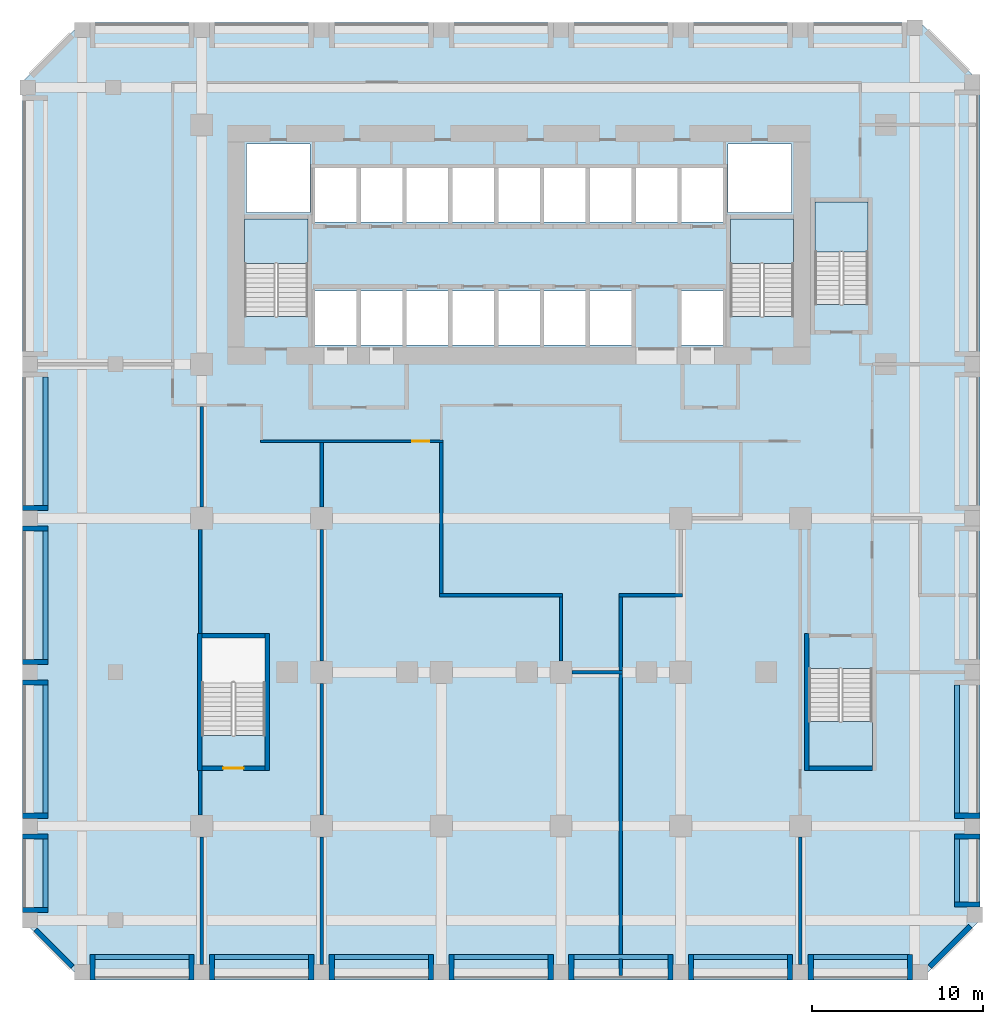
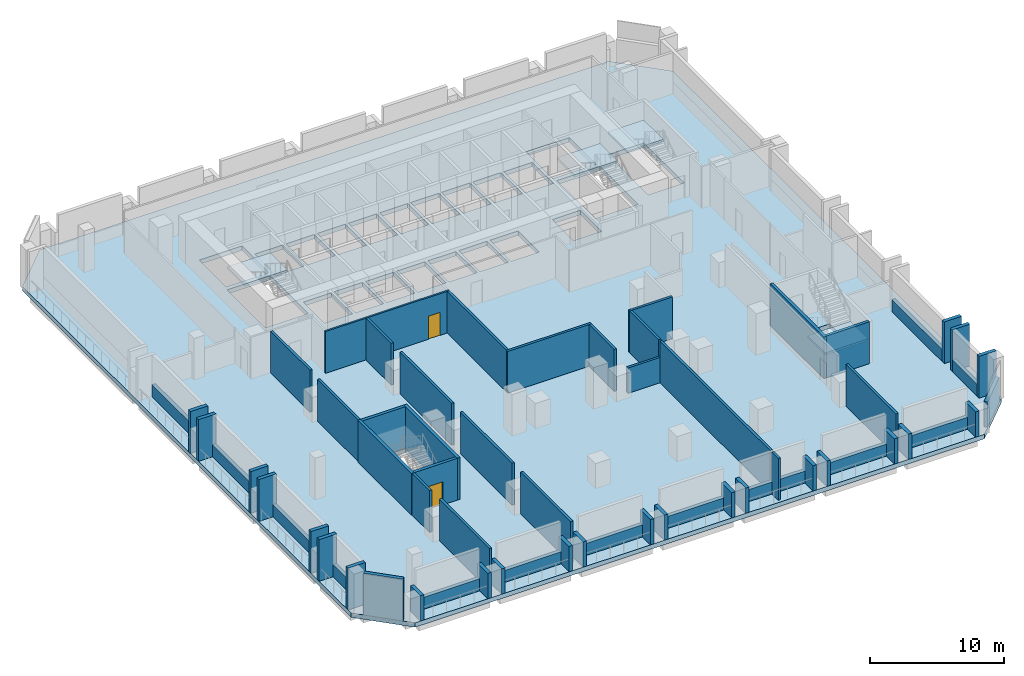
# One storey, part 2 of 10: 63 walls, 5 slabs, 2 doors, 2 openings, 4 elements without a shape of their own.
"""IFC4 building model written with IfcOpenShell, lengths in metres."""

from ifc_helpers import new_model, si_unit, direction, frame, frame_2d, origin, place, context, subcontext, project, spatial, polyline, rectangle, outline, extrude, source, transform, mapped, material, layer, layer_set, type_object, element, fill, aggregate, save


model = new_model("IFC4")

# Units and contexts
model_context = context("Model", 3, precision=1e-05, world=origin(), true_north=direction((0.0, 1.0)))
body_context = subcontext(model_context, "Body", "Model", "MODEL_VIEW")
ifc_project = project(units=[si_unit("LENGTHUNIT", "METRE"), si_unit("AREAUNIT", "SQUARE_METRE"), si_unit("VOLUMEUNIT", "CUBIC_METRE"), si_unit("PLANEANGLEUNIT", "RADIAN"), si_unit("MASSUNIT", "GRAM", prefix="KILO")], contexts=[model_context])

# Site, building, storey
site_placement = place(None, origin())
site = spatial("IfcSite", under=ifc_project, at=site_placement, CompositionType="ELEMENT")
building_placement = place(site_placement, origin())
building = spatial("IfcBuilding", under=site, at=building_placement, Name="Kilnfold Tower and Market Hall", CompositionType="ELEMENT")
storey_placement = place(building_placement, frame((0.0, 0.0, 59.0)))
storey = spatial("IfcBuildingStorey", under=building, at=storey_placement, Name="L13 Plant Transfer Level", CompositionType="ELEMENT", Elevation=59.0)

# Slab
ifc_material_1 = material(Name="Concrete C45", Category="concrete")
ifc_layer_1 = layer(ifc_material_1, 0.39990234375)
ifc_layer_set_1 = layer_set([ifc_layer_1], Name="Concrete C45")
slab_type_1 = type_object("IfcSlabType", Name="FLOOR SLAB 400", PredefinedType="FLOOR", material=ifc_layer_set_1)
shared_shape_1 = source(origin(), body_context, "Body", "SweptSolid", [
    extrude(outline(polyline([(-24.5, -28.0), (24.5, -28.0), (28.0, -24.5), (28.0, 24.5), (24.5, 28.0), (-24.5, 28.0), (-28.0, 24.5), (-28.0, -24.5), (-24.5, -28.0)]), holes=[polyline([(-13.800537109375, -13.699462890625), (-17.49951171875, -13.699462890625), (-17.49951171875, -8.00048828125), (-13.800537109375, -8.00048828125), (-13.800537109375, -13.699462890625)]), polyline([(-14.99951171875, 10.800537109375), (-14.99951171875, 16.49951171875), (-11.300537109375, 16.49951171875), (-11.300537109375, 10.800537109375), (-14.99951171875, 10.800537109375)]), polyline([(-14.875, 16.875), (-14.875, 20.875), (-11.175048828125, 20.875), (-11.175048828125, 16.875), (-14.875, 16.875)]), polyline([(-10.885009765625, 9.125), (-10.885009765625, 12.27490234375), (-8.455078125, 12.27490234375), (-8.455078125, 9.125), (-10.885009765625, 9.125)]), polyline([(-8.455078125, 16.324951171875), (-10.885009765625, 16.324951171875), (-10.885009765625, 19.47509765625), (-8.455078125, 19.47509765625), (-8.455078125, 16.324951171875)]), polyline([(-8.205078125, 9.125), (-8.205078125, 12.27490234375), (-5.77490234375, 12.27490234375), (-5.77490234375, 9.125), (-8.205078125, 9.125)]), polyline([(-8.205078125, 16.324951171875), (-8.205078125, 19.47509765625), (-5.77490234375, 19.47509765625), (-5.77490234375, 16.324951171875), (-8.205078125, 16.324951171875)]), polyline([(-3.094970703125, 9.125), (-5.52490234375, 9.125), (-5.52490234375, 12.27490234375), (-3.094970703125, 12.27490234375), (-3.094970703125, 9.125)]), polyline([(-5.52490234375, 16.324951171875), (-5.52490234375, 19.47509765625), (-3.094970703125, 19.47509765625), (-3.094970703125, 16.324951171875), (-5.52490234375, 16.324951171875)]), polyline([(-2.844970703125, 9.125), (-2.844970703125, 12.27490234375), (-0.4150390625, 12.27490234375), (-0.4150390625, 9.125), (-2.844970703125, 9.125)]), polyline([(-0.4150390625, 16.324951171875), (-2.844970703125, 16.324951171875), (-2.844970703125, 19.47509765625), (-0.4150390625, 19.47509765625), (-0.4150390625, 16.324951171875)]), polyline([(-0.1650390625, 9.125), (-0.1650390625, 12.27490234375), (2.264892578125, 12.27490234375), (2.264892578125, 9.125), (-0.1650390625, 9.125)]), polyline([(-0.1650390625, 16.324951171875), (-0.1650390625, 19.47509765625), (2.264892578125, 19.47509765625), (2.264892578125, 16.324951171875), (-0.1650390625, 16.324951171875)]), polyline([(2.514892578125, 9.125), (2.514892578125, 12.27490234375), (4.945068359375, 12.27490234375), (4.945068359375, 9.125), (2.514892578125, 9.125)]), polyline([(2.514892578125, 16.324951171875), (2.514892578125, 19.47509765625), (4.945068359375, 19.47509765625), (4.945068359375, 16.324951171875), (2.514892578125, 16.324951171875)]), polyline([(7.625, 9.125), (5.195068359375, 9.125), (5.195068359375, 12.27490234375), (7.625, 12.27490234375), (7.625, 9.125)]), polyline([(5.195068359375, 16.324951171875), (5.195068359375, 19.47509765625), (7.625, 19.47509765625), (7.625, 16.324951171875), (5.195068359375, 16.324951171875)]), polyline([(10.304931640625, 16.324951171875), (7.875, 16.324951171875), (7.875, 19.47509765625), (10.304931640625, 19.47509765625), (10.304931640625, 16.324951171875)]), polyline([(10.554931640625, 9.125), (10.554931640625, 12.27490234375), (12.985107421875, 12.27490234375), (12.985107421875, 9.125), (10.554931640625, 9.125)]), polyline([(10.554931640625, 16.324951171875), (10.554931640625, 19.47509765625), (12.985107421875, 19.47509765625), (12.985107421875, 16.324951171875), (10.554931640625, 16.324951171875)]), polyline([(13.27490234375, 16.875), (13.27490234375, 20.875), (16.97509765625, 20.875), (16.97509765625, 16.875), (13.27490234375, 16.875)]), polyline([(13.400390625, 10.800537109375), (13.400390625, 16.49951171875), (17.099609375, 16.49951171875), (17.099609375, 10.800537109375), (13.400390625, 10.800537109375)]), polyline([(18.00048828125, -9.800537109375), (21.699462890625, -9.800537109375), (21.699462890625, -15.49951171875), (18.00048828125, -15.49951171875), (18.00048828125, -9.800537109375)]), polyline([(21.449462890625, 11.50048828125), (18.3505859375, 11.50048828125), (18.3505859375, 17.49951171875), (21.449462890625, 17.49951171875), (21.449462890625, 11.50048828125)])]), origin(), (0.0, 0.0, 1.0), 0.400146484375),
])
slab_1_placement = place(storey_placement, frame((0.0, 0.0, -0.400146484375)))
element("IfcSlab", 1, at=slab_1_placement, inside=storey, type_object=slab_type_1, Name="Floor slab L13", PredefinedType="FLOOR", context=body_context, shape_type="MappedRepresentation", body=[
    mapped(shared_shape_1, transform((0.0, 0.0, 0.0))),
])

# Stair, slab
ifc_material_2 = material(Name="Concrete C40/50", Category="concrete")
stair_type_1 = type_object("IfcStairType", Name="CORE STAIR 1800", PredefinedType="HALF_TURN_STAIR", material=ifc_material_2)
stair_1_placement = place(storey_placement, origin())
stair_1 = element("IfcStair", 2, at=stair_1_placement, inside=storey, type_object=stair_type_1, Name="L13 Plant Transfer Level ST1", PredefinedType="HALF_TURN_STAIR")
ifc_material_3 = material(Name="Concrete C40/50", Category="concrete")
ifc_layer_2 = layer(ifc_material_3, 0.199951171875)
ifc_layer_set_2 = layer_set([ifc_layer_2], Name="Concrete C40/50")
slab_type_2 = type_object("IfcSlabType", Name="CORE STAIR LANDING 200", PredefinedType="LANDING", material=ifc_layer_set_2)
shared_shape_2 = source(origin(), body_context, "Body", "SweptSolid", [
    extrude(outline(polyline([(-11.300048828125, 13.8798828125), (-11.300048828125, 16.5), (-15.0, 16.5), (-15.0, 13.8798828125), (-11.300048828125, 13.8798828125)])), origin(), (0.0, 0.0, 1.0), 0.2001953125),
])
slab_2_placement = place(storey_placement, frame((0.0, 0.0, 1.89990234375)))
slab_2 = element("IfcSlab", 3, at=slab_2_placement, type_object=slab_type_2, Name="ST1 landing 1", PredefinedType="LANDING", context=body_context, shape_type="MappedRepresentation", body=[
    mapped(shared_shape_2, transform((0.0, 0.0, 0.0))),
])
aggregate(stair_1, [slab_2])

stair_2_placement = place(storey_placement, origin())
stair_2 = element("IfcStair", 4, at=stair_2_placement, inside=storey, type_object=stair_type_1, Name="L13 Plant Transfer Level ST2", PredefinedType="HALF_TURN_STAIR")
shared_shape_3 = source(origin(), body_context, "Body", "SweptSolid", [
    extrude(outline(polyline([(17.10009765625, 13.8798828125), (17.10009765625, 16.5), (13.39990234375, 16.5), (13.39990234375, 13.8798828125), (17.10009765625, 13.8798828125)])), origin(), (0.0, 0.0, 1.0), 0.2001953125),
])
slab_3_placement = place(storey_placement, frame((0.0, 0.0, 1.89990234375)))
slab_3 = element("IfcSlab", 5, at=slab_3_placement, type_object=slab_type_2, Name="ST2 landing 1", PredefinedType="LANDING", context=body_context, shape_type="MappedRepresentation", body=[
    mapped(shared_shape_3, transform((0.0, 0.0, 0.0))),
])
aggregate(stair_2, [slab_3])

stair_3_placement = place(storey_placement, origin())
stair_3 = element("IfcStair", 6, at=stair_3_placement, inside=storey, type_object=stair_type_1, Name="L13 Plant Transfer Level ST4", PredefinedType="HALF_TURN_STAIR")
shared_shape_4 = source(origin(), body_context, "Body", "SweptSolid", [
    extrude(outline(polyline([(18.0, -12.8798828125), (18.0, -15.5), (21.699951171875, -15.5), (21.699951171875, -12.8798828125), (18.0, -12.8798828125)])), origin(), (0.0, 0.0, 1.0), 0.2001953125),
])
slab_4_placement = place(storey_placement, frame((0.0, 0.0, 1.89990234375)))
slab_4 = element("IfcSlab", 7, at=slab_4_placement, type_object=slab_type_2, Name="ST4 landing 1", PredefinedType="LANDING", context=body_context, shape_type="MappedRepresentation", body=[
    mapped(shared_shape_4, transform((0.0, 0.0, 0.0))),
])
aggregate(stair_3, [slab_4])

ifc_material_4 = material(Name="Concrete C40/50", Category="concrete")
stair_type_2 = type_object("IfcStairType", Name="CORE STAIR 1500", PredefinedType="HALF_TURN_STAIR", material=ifc_material_4)
stair_4_placement = place(storey_placement, origin())
stair_4 = element("IfcStair", 8, at=stair_4_placement, inside=storey, type_object=stair_type_2, Name="L13 Plant Transfer Level ST5", PredefinedType="HALF_TURN_STAIR")
shared_shape_5 = source(origin(), body_context, "Body", "SweptSolid", [
    extrude(outline(polyline([(21.449951171875, 14.580078125), (21.449951171875, 17.5), (18.35009765625, 17.5), (18.35009765625, 14.580078125), (21.449951171875, 14.580078125)])), origin(), (0.0, 0.0, 1.0), 0.2001953125),
])
slab_5_placement = place(storey_placement, frame((0.0, 0.0, 1.89990234375)))
slab_5 = element("IfcSlab", 9, at=slab_5_placement, type_object=slab_type_2, Name="ST5 landing 1", PredefinedType="LANDING", context=body_context, shape_type="MappedRepresentation", body=[
    mapped(shared_shape_5, transform((0.0, 0.0, 0.0))),
])
aggregate(stair_4, [slab_5])

# Wall, opening, door
ifc_material_5 = material(Name="Gypsum board on steel studs", Category="steel")
ifc_layer_3 = layer(ifc_material_5, 0.14990234375)
ifc_layer_set_3 = layer_set([ifc_layer_3], Name="Gypsum board on steel studs")
wall_type_1 = type_object("IfcWallType", Name="WALL CORRIDOR 150", PredefinedType="PARTITIONING", material=ifc_layer_set_3)
wall_1_placement = place(storey_placement, frame((-14.074951171875, 3.5, 0.0), z_axis=(0.0, 0.0, 1.0), x_axis=(1.0, 0.0, 0.0)))
wall_1 = element("IfcWall", 10, at=wall_1_placement, inside=storey, type_object=wall_type_1, Name="Partition LY11.3", PredefinedType="PARTITIONING", context=body_context, shape_type="SweptSolid", body=[
    extrude(rectangle(XDim=10.675048828125, YDim=0.14990234375, at=frame_2d((5.33740234375, 0.0))), origin(), (0.0, 0.0, 1.0), 3.800048828125),
])
opening_1_placement = place(wall_1_placement, frame((8.8740234375, 0.0, 0.0)))
opening_1 = element("IfcOpeningElement", 11, at=opening_1_placement, cuts=wall_1, Name="Opening D4", PredefinedType="OPENING", context=body_context, shape_type="SweptSolid", body=[
    extrude(rectangle(XDim=1.0, YDim=2.10009765625, at=frame_2d((0.5, 1.050048828125))), frame((0.0, 0.0849609375, 0.0), z_axis=(0.0, -1.0, 0.0), x_axis=(1.0, 0.0, 0.0)), (0.0, 0.0, 1.0), 0.169921875),
])
ifc_material_6 = material(Name="Timber veneer door leaf in steel frame", Category="steel")
door_type_1 = type_object("IfcDoorType", Name="DOOR SERVICE 1000 X2100", OperationType="NOTDEFINED", PredefinedType="DOOR", material=ifc_material_6)
door_1_placement = place(opening_1_placement, origin())
door_1 = element("IfcDoor", 12, at=door_1_placement, inside=storey, type_object=door_type_1, Name="Door D4", OperationType="SINGLE_SWING_RIGHT", OverallHeight=2.10009765625, OverallWidth=1.0, PredefinedType="DOOR", context=body_context, shape_type="SweptSolid", body=[
    extrude(rectangle(XDim=1.0, YDim=2.10009765625, at=frame_2d((0.5, 1.050048828125))), frame((0.0, 0.02490234375, 0.0), z_axis=(0.0, -1.0, 0.0), x_axis=(1.0, 0.0, 0.0)), (0.0, 0.0, 1.0), 0.050048828125),
])
fill(opening_1, door_1)

# Walls
ifc_material_7 = material(Name="Gypsum board on steel studs", Category="steel")
ifc_layer_4 = layer(ifc_material_7, 0.199951171875)
ifc_layer_set_4 = layer_set([ifc_layer_4], Name="Gypsum board on steel studs")
wall_type_2 = type_object("IfcWallType", Name="WALL PARTY 200", PredefinedType="PARTITIONING", material=ifc_layer_set_4)
wall_2_placement = place(storey_placement, frame((-17.5, -0.35009765625, 0.0), z_axis=(0.0, 0.0, 1.0), x_axis=(0.0, 1.0, 0.0)))
element("IfcWall", 13, at=wall_2_placement, inside=storey, type_object=wall_type_2, Name="Partition LY11.19", PredefinedType="PARTITIONING", context=body_context, shape_type="SweptSolid", body=[
    extrude(rectangle(XDim=5.8740234375, YDim=0.199951171875, at=frame_2d((2.93701171875, 0.0))), origin(), (0.0, 0.0, 1.0), 3.800048828125),
])
wall_3_placement = place(storey_placement, frame((-17.60009765625, -7.75, 0.0), z_axis=(0.0, 0.0, 1.0), x_axis=(0.0, 1.0, 0.0)))
element("IfcWall", 14, at=wall_3_placement, inside=storey, type_object=wall_type_2, Name="Partition LY11.20", PredefinedType="PARTITIONING", context=body_context, shape_type="SweptSolid", body=[
    extrude(rectangle(XDim=6.10009765625, YDim=0.199951171875, at=frame_2d((3.050048828125, 0.0))), origin(), (0.0, 0.0, 1.0), 3.800048828125),
])
wall_4_placement = place(storey_placement, frame((-17.60009765625, -18.35009765625, 0.0), z_axis=(0.0, 0.0, 1.0), x_axis=(0.0, 1.0, 0.0)))
element("IfcWall", 15, at=wall_4_placement, inside=storey, type_object=wall_type_2, Name="Partition LY11.21", PredefinedType="PARTITIONING", context=body_context, shape_type="SweptSolid", body=[
    extrude(rectangle(XDim=2.60009765625, YDim=0.199951171875, at=frame_2d((1.300048828125, 0.0))), origin(), (0.0, 0.0, 1.0), 3.800048828125),
])
wall_5_placement = place(storey_placement, frame((-17.5, -27.10009765625, 0.0), z_axis=(0.0, 0.0, 1.0), x_axis=(0.0, 1.0, 0.0)))
element("IfcWall", 16, at=wall_5_placement, inside=storey, type_object=wall_type_2, Name="Partition LY11.22", PredefinedType="PARTITIONING", context=body_context, shape_type="SweptSolid", body=[
    extrude(rectangle(XDim=7.4501953125, YDim=0.199951171875, at=frame_2d((3.72509765625, 0.0))), origin(), (0.0, 0.0, 1.0), 3.800048828125),
])
wall_6_placement = place(storey_placement, frame((-10.5, -0.35009765625, 0.0), z_axis=(0.0, 0.0, 1.0), x_axis=(0.0, 1.0, 0.0)))
element("IfcWall", 17, at=wall_6_placement, inside=storey, type_object=wall_type_2, Name="Partition LY11.24", PredefinedType="PARTITIONING", context=body_context, shape_type="SweptSolid", body=[
    extrude(rectangle(XDim=3.774169921875, YDim=0.199951171875, at=frame_2d((1.88720703125, 0.0))), origin(), (0.0, 0.0, 1.0), 3.800048828125),
])
for number, where, z_axis, x_axis, name in (
    (18, (-10.5, -9.35009765625, 0.0), (0.0, 0.0, 1.0), (0.0, 1.0, 0.0), "Partition LY11.25"),
    (19, (-10.5, -18.35009765625, 0.0), (0.0, 0.0, 1.0), (0.0, 1.0, 0.0), "Partition LY11.26"),
):
    element("IfcWall", number, at=place(storey_placement, frame(where, z_axis=z_axis, x_axis=x_axis)), inside=storey, type_object=wall_type_2, Name=name, PredefinedType="PARTITIONING", context=body_context, shape_type="SweptSolid", body=[
        extrude(rectangle(XDim=7.7001953125, YDim=0.199951171875, at=frame_2d((3.85009765625, 0.0))), origin(), (0.0, 0.0, 1.0), 3.800048828125),
    ])
wall_7_placement = place(storey_placement, frame((-10.5, -27.10009765625, 0.0), z_axis=(0.0, 0.0, 1.0), x_axis=(0.0, 1.0, 0.0)))
element("IfcWall", 20, at=wall_7_placement, inside=storey, type_object=wall_type_2, Name="Partition LY11.27", PredefinedType="PARTITIONING", context=body_context, shape_type="SweptSolid", body=[
    extrude(rectangle(XDim=7.4501953125, YDim=0.199951171875, at=frame_2d((3.72509765625, 0.0))), origin(), (0.0, 0.0, 1.0), 3.800048828125),
])
wall_8_placement = place(storey_placement, frame((4.14990234375, -10.0, 0.0), z_axis=(0.0, 0.0, 1.0), x_axis=(1.0, 0.0, 0.0)))
element("IfcWall", 21, at=wall_8_placement, inside=storey, type_object=wall_type_2, Name="Partition LY11.28", PredefinedType="PARTITIONING", context=body_context, shape_type="SweptSolid", body=[
    extrude(rectangle(XDim=2.9501953125, YDim=0.199951171875, at=frame_2d((1.47509765625, 0.0))), origin(), (0.0, 0.0, 1.0), 2.300048828125),
])
wall_9_placement = place(storey_placement, frame((-3.5, -5.39990234375, 0.0), z_axis=(0.0, 0.0, 1.0), x_axis=(0.0, 1.0, 0.0)))
element("IfcWall", 22, at=wall_9_placement, inside=storey, type_object=wall_type_2, Name="Partition LY11.29", PredefinedType="PARTITIONING", context=body_context, shape_type="SweptSolid", body=[
    extrude(rectangle(XDim=8.823974609375, YDim=0.199951171875, at=frame_2d((4.412109375, 0.0))), origin(), (0.0, 0.0, 1.0), 3.800048828125),
])
wall_10_placement = place(storey_placement, frame((-3.60009765625, -5.5, 0.0), z_axis=(0.0, 0.0, 1.0), x_axis=(1.0, 0.0, 0.0)))
element("IfcWall", 23, at=wall_10_placement, inside=storey, type_object=wall_type_2, Name="Partition LY11.30", PredefinedType="PARTITIONING", context=body_context, shape_type="SweptSolid", body=[
    extrude(rectangle(XDim=7.2001953125, YDim=0.199951171875, at=frame_2d((3.60009765625, 0.0))), origin(), (0.0, 0.0, 1.0), 3.800048828125),
])
wall_11_placement = place(storey_placement, frame((3.5, -9.35009765625, 0.0), z_axis=(0.0, 0.0, 1.0), x_axis=(0.0, 1.0, 0.0)))
element("IfcWall", 24, at=wall_11_placement, inside=storey, type_object=wall_type_2, Name="Partition LY11.31", PredefinedType="PARTITIONING", context=body_context, shape_type="SweptSolid", body=[
    extrude(rectangle(XDim=3.75, YDim=0.199951171875, at=frame_2d((1.875, 0.0))), origin(), (0.0, 0.0, 1.0), 3.800048828125),
])
wall_12_placement = place(storey_placement, frame((7.0, -27.75, 0.0), z_axis=(0.0, 0.0, 1.0), x_axis=(0.0, 1.0, 0.0)))
element("IfcWall", 25, at=wall_12_placement, inside=storey, type_object=wall_type_2, Name="Partition LY11.32", PredefinedType="PARTITIONING", context=body_context, shape_type="SweptSolid", body=[
    extrude(rectangle(XDim=0.97998046875, YDim=0.199951171875, at=frame_2d((0.489990234375, 0.0))), origin(), (0.0, 0.0, 1.0), 3.800048828125),
])
wall_13_placement = place(storey_placement, frame((7.0, -26.530029296875, 0.0), z_axis=(0.0, 0.0, 1.0), x_axis=(0.0, 1.0, 0.0)))
element("IfcWall", 26, at=wall_13_placement, inside=storey, type_object=wall_type_2, Name="Partition LY11.33", PredefinedType="PARTITIONING", context=body_context, shape_type="SweptSolid", body=[
    extrude(rectangle(XDim=16.429931640625, YDim=0.199951171875, at=frame_2d((8.21484375, 0.0))), origin(), (0.0, 0.0, 1.0), 3.800048828125),
])
wall_14_placement = place(storey_placement, frame((6.89990234375, -5.5, 0.0), z_axis=(0.0, 0.0, 1.0), x_axis=(1.0, 0.0, 0.0)))
element("IfcWall", 27, at=wall_14_placement, inside=storey, type_object=wall_type_2, Name="Partition LY11.37", PredefinedType="PARTITIONING", context=body_context, shape_type="SweptSolid", body=[
    extrude(rectangle(XDim=3.7001953125, YDim=0.199951171875, at=frame_2d((1.85009765625, 0.0))), origin(), (0.0, 0.0, 1.0), 3.800048828125),
])
wall_15_placement = place(storey_placement, frame((7.0, -9.89990234375, 0.0), z_axis=(0.0, 0.0, 1.0), x_axis=(0.0, 1.0, 0.0)))
element("IfcWall", 28, at=wall_15_placement, inside=storey, type_object=wall_type_2, Name="Partition LY11.38", PredefinedType="PARTITIONING", context=body_context, shape_type="SweptSolid", body=[
    extrude(rectangle(XDim=4.2998046875, YDim=0.199951171875, at=frame_2d((2.14990234375, 0.0))), origin(), (0.0, 0.0, 1.0), 3.800048828125),
])
wall_16_placement = place(storey_placement, frame((17.5, -27.10009765625, 0.0), z_axis=(0.0, 0.0, 1.0), x_axis=(0.0, 1.0, 0.0)))
element("IfcWall", 29, at=wall_16_placement, inside=storey, type_object=wall_type_2, Name="Partition LY11.40", PredefinedType="PARTITIONING", context=body_context, shape_type="SweptSolid", body=[
    extrude(rectangle(XDim=7.4501953125, YDim=0.199951171875, at=frame_2d((3.72509765625, 0.0))), origin(), (0.0, 0.0, 1.0), 3.800048828125),
])

# Wall, opening, door
ifc_material_8 = material(Name="Concrete C80", Category="concrete")
ifc_layer_5 = layer(ifc_material_8, 0.25)
ifc_layer_set_5 = layer_set([ifc_layer_5], Name="Concrete C80")
wall_type_3 = type_object("IfcWallType", Name="CORE WALL 250 C80", PredefinedType="SHEAR", material=ifc_layer_set_5)
shared_shape_6 = source(origin(), body_context, "Body", "SweptSolid", [
    extrude(rectangle(XDim=3.699951171875, YDim=0.25, at=frame_2d((1.85009765625, 0.0))), origin(), (0.0, 0.0, 1.0), 3.800048828125),
])
wall_17_placement = place(storey_placement, frame((-17.5, -15.625, 0.0), z_axis=(0.0, 0.0, 1.0), x_axis=(1.0, 0.0, 0.0)))
wall_17 = element("IfcWall", 30, at=wall_17_placement, inside=storey, type_object=wall_type_3, Name="Stair enclosure ST3", PredefinedType="SHEAR", context=body_context, shape_type="MappedRepresentation", body=[
    mapped(shared_shape_6, transform((0.0, 0.0, 0.0))),
])
opening_2_placement = place(wall_17_placement, frame((1.25, 0.0, 0.0)))
opening_2 = element("IfcOpeningElement", 31, at=opening_2_placement, cuts=wall_17, Name="Opening SD1", PredefinedType="OPENING", context=body_context, shape_type="SweptSolid", body=[
    extrude(rectangle(XDim=1.199951171875, YDim=2.10009765625, at=frame_2d((0.60009765625, 1.050048828125))), frame((0.0, 0.135009765625, 0.0), z_axis=(0.0, -1.0, 0.0), x_axis=(1.0, 0.0, 0.0)), (0.0, 0.0, 1.0), 0.27001953125),
])
ifc_material_9 = material(Name="Steel door set with fire-resisting leaf", Category="steel")
door_type_2 = type_object("IfcDoorType", Name="STAIR FLOOR DOOR 1200X2100", OperationType="NOTDEFINED", PredefinedType="DOOR", material=ifc_material_9)
door_2_placement = place(opening_2_placement, origin())
door_2 = element("IfcDoor", 32, at=door_2_placement, inside=storey, type_object=door_type_2, Name="Exit stair ST3 door", OperationType="DOUBLE_DOOR_SINGLE_SWING", OverallHeight=2.10009765625, OverallWidth=1.199951171875, PredefinedType="DOOR", context=body_context, shape_type="SweptSolid", body=[
    extrude(rectangle(XDim=1.199951171875, YDim=2.10009765625, at=frame_2d((0.60009765625, 1.050048828125))), frame((0.0, 0.02490234375, 0.0), z_axis=(0.0, -1.0, 0.0), x_axis=(1.0, 0.0, 0.0)), (0.0, 0.0, 1.0), 0.050048828125),
])
fill(opening_2, door_2)

# Walls
for number, where, z_axis, x_axis, name in (
    (33, (-17.5, -7.875, 0.0), (0.0, 0.0, 1.0), (1.0, 0.0, 0.0), "Stair enclosure ST3"),
    (34, (18.0, -15.625, 0.0), (0.0, 0.0, 1.0), (1.0, 0.0, 0.0), "Stair enclosure ST4"),
):
    element("IfcWall", number, at=place(storey_placement, frame(where, z_axis=z_axis, x_axis=x_axis)), inside=storey, type_object=wall_type_3, Name=name, PredefinedType="SHEAR", context=body_context, shape_type="MappedRepresentation", body=[
        mapped(shared_shape_6, transform((0.0, 0.0, 0.0))),
    ])
shared_shape_7 = source(origin(), body_context, "Body", "SweptSolid", [
    extrude(rectangle(XDim=8.0, YDim=0.25, at=frame_2d((4.0, 0.0))), origin(), (0.0, 0.0, 1.0), 3.800048828125),
])
for number, where, z_axis, x_axis, name in (
    (35, (-17.625, -15.75, 0.0), (0.0, 0.0, 1.0), (0.0, 1.0, 0.0), "Stair enclosure ST3"),
    (36, (-13.675048828125, -15.75, 0.0), (0.0, 0.0, 1.0), (0.0, 1.0, 0.0), "Stair enclosure ST3"),
    (37, (17.875, -15.75, 0.0), (0.0, 0.0, 1.0), (0.0, 1.0, 0.0), "Stair enclosure ST4"),
):
    element("IfcWall", number, at=place(storey_placement, frame(where, z_axis=z_axis, x_axis=x_axis)), inside=storey, type_object=wall_type_3, Name=name, PredefinedType="SHEAR", context=body_context, shape_type="MappedRepresentation", body=[
        mapped(shared_shape_7, transform((0.0, 0.0, 0.0))),
    ])
ifc_material_10 = material(Name="Precast concrete C50/60", Category="concrete")
ifc_layer_6 = layer(ifc_material_10, 0.300048828125)
ifc_layer_set_6 = layer_set([ifc_layer_6], Name="Precast concrete C50/60")
wall_type_4 = type_object("IfcWallType", Name="PRECAST WALL 300", PredefinedType="SOLIDWALL", material=ifc_layer_set_6)
shared_shape_8 = source(origin(), body_context, "Body", "SweptSolid", [
    extrude(rectangle(XDim=5.5, YDim=0.300048828125, at=frame_2d((2.75, 0.0))), origin(), (0.0, 0.0, 1.0), 1.10009765625),
])
for number, where, z_axis, x_axis, name in (
    (38, (-23.75, -26.64990234375, 0.0), (0.0, 0.0, 1.0), (1.0, 0.0, 0.0), "Knee wall L13 S"),
    (39, (-16.75, -26.64990234375, 0.0), (0.0, 0.0, 1.0), (1.0, 0.0, 0.0), "Knee wall L13 S"),
    (40, (-9.75, -26.64990234375, 0.0), (0.0, 0.0, 1.0), (1.0, 0.0, 0.0), "Knee wall L13 S"),
    (41, (-2.75, -26.64990234375, 0.0), (0.0, 0.0, 1.0), (1.0, 0.0, 0.0), "Knee wall L13 S"),
    (42, (4.25, -26.64990234375, 0.0), (0.0, 0.0, 1.0), (1.0, 0.0, 0.0), "Knee wall L13 S"),
    (43, (11.25, -26.64990234375, 0.0), (0.0, 0.0, 1.0), (1.0, 0.0, 0.0), "Knee wall L13 S"),
    (44, (18.25, -26.64990234375, 0.0), (0.0, 0.0, 1.0), (1.0, 0.0, 0.0), "Knee wall L13 S"),
):
    element("IfcWall", number, at=place(storey_placement, frame(where, z_axis=z_axis, x_axis=x_axis)), inside=storey, type_object=wall_type_4, Name=name, PredefinedType="SOLIDWALL", context=body_context, shape_type="MappedRepresentation", body=[
        mapped(shared_shape_8, transform((0.0, 0.0, 0.0))),
    ])
shared_shape_9 = source(origin(), body_context, "Body", "SweptSolid", [
    extrude(rectangle(XDim=1.5, YDim=0.300048828125, at=frame_2d((0.75, 0.0))), origin(), (0.0, 0.0, 1.0), 2.300048828125),
])
for number, where, z_axis, x_axis, name in (
    (45, (-23.89990234375, -28.0, 0.0), (0.0, 0.0, 1.0), (0.0, 1.0, 0.0), "Plant wall L13 S"),
    (46, (-18.10009765625, -28.0, 0.0), (0.0, 0.0, 1.0), (0.0, 1.0, 0.0), "Plant wall L13 S"),
    (47, (-16.89990234375, -28.0, 0.0), (0.0, 0.0, 1.0), (0.0, 1.0, 0.0), "Plant wall L13 S"),
    (48, (-11.10009765625, -28.0, 0.0), (0.0, 0.0, 1.0), (0.0, 1.0, 0.0), "Plant wall L13 S"),
    (49, (-9.89990234375, -28.0, 0.0), (0.0, 0.0, 1.0), (0.0, 1.0, 0.0), "Plant wall L13 S"),
    (50, (-4.10009765625, -28.0, 0.0), (0.0, 0.0, 1.0), (0.0, 1.0, 0.0), "Plant wall L13 S"),
    (51, (-2.89990234375, -28.0, 0.0), (0.0, 0.0, 1.0), (0.0, 1.0, 0.0), "Plant wall L13 S"),
    (52, (2.89990234375, -28.0, 0.0), (0.0, 0.0, 1.0), (0.0, 1.0, 0.0), "Plant wall L13 S"),
    (53, (4.10009765625, -28.0, 0.0), (0.0, 0.0, 1.0), (0.0, 1.0, 0.0), "Plant wall L13 S"),
    (54, (9.89990234375, -28.0, 0.0), (0.0, 0.0, 1.0), (0.0, 1.0, 0.0), "Plant wall L13 S"),
    (55, (11.10009765625, -28.0, 0.0), (0.0, 0.0, 1.0), (0.0, 1.0, 0.0), "Plant wall L13 S"),
    (56, (16.89990234375, -28.0, 0.0), (0.0, 0.0, 1.0), (0.0, 1.0, 0.0), "Plant wall L13 S"),
    (57, (18.10009765625, -28.0, 0.0), (0.0, 0.0, 1.0), (0.0, 1.0, 0.0), "Plant wall L13 S"),
    (58, (23.89990234375, -28.0, 0.0), (0.0, 0.0, 1.0), (0.0, 1.0, 0.0), "Plant wall L13 S"),
):
    element("IfcWall", number, at=place(storey_placement, frame(where, z_axis=z_axis, x_axis=x_axis)), inside=storey, type_object=wall_type_4, Name=name, PredefinedType="SOLIDWALL", context=body_context, shape_type="MappedRepresentation", body=[
        mapped(shared_shape_9, transform((0.0, 0.0, 0.0))),
    ])
shared_shape_10 = source(origin(), body_context, "Body", "SweptSolid", [
    extrude(rectangle(XDim=3.35888671875, YDim=0.300048828125, at=frame_2d((1.679443359375, 0.0))), origin(), (0.0, 0.0, 1.0), 2.300048828125),
])
wall_18_placement = place(storey_placement, frame((25.06884765625, -27.218994140625, 0.0), z_axis=(0.0, 0.0, 1.0), x_axis=(0.707143122278, 0.707070438228, 0.0)))
element("IfcWall", 59, at=wall_18_placement, inside=storey, type_object=wall_type_4, Name="Plant wall L13 SE", PredefinedType="SOLIDWALL", context=body_context, shape_type="MappedRepresentation", body=[
    mapped(shared_shape_10, transform((0.0, 0.0, 0.0))),
])
shared_shape_11 = source(origin(), body_context, "Body", "SweptSolid", [
    extrude(rectangle(XDim=3.681884765625, YDim=0.300048828125, at=frame_2d((1.8408203125, 0.0))), origin(), (0.0, 0.0, 1.0), 1.10009765625),
])
wall_19_placement = place(storey_placement, frame((26.64990234375, -23.431884765625, 0.0), z_axis=(0.0, 0.0, 1.0), x_axis=(0.0, 1.0, 0.0)))
element("IfcWall", 60, at=wall_19_placement, inside=storey, type_object=wall_type_4, Name="Knee wall L13 E", PredefinedType="SOLIDWALL", context=body_context, shape_type="MappedRepresentation", body=[
    mapped(shared_shape_11, transform((0.0, 0.0, 0.0))),
])
shared_shape_12 = source(origin(), body_context, "Body", "SweptSolid", [
    extrude(rectangle(XDim=1.5, YDim=0.300048828125, at=frame_2d((0.75, 0.0))), origin(), (0.0, 0.0, 1.0), 3.800048828125),
])
for number, where, z_axis, x_axis, name in (
    (61, (28.0, -23.581787109375, 0.0), (0.0, 0.0, 1.0), (-1.0, 0.0, 0.0), "Plant wall L13 E"),
    (62, (28.0, -19.60009765625, 0.0), (0.0, 0.0, 1.0), (-1.0, 0.0, 0.0), "Plant wall L13 E"),
    (63, (28.0, -18.39990234375, 0.0), (0.0, 0.0, 1.0), (-1.0, 0.0, 0.0), "Plant wall L13 E"),
    (64, (-28.0, -0.39990234375, 0.0), (0.0, 0.0, 1.0), (1.0, 0.0, 0.0), "Plant wall L13 W"),
    (65, (-28.0, -1.60009765625, 0.0), (0.0, 0.0, 1.0), (1.0, 0.0, 0.0), "Plant wall L13 W"),
    (66, (-28.0, -9.39990234375, 0.0), (0.0, 0.0, 1.0), (1.0, 0.0, 0.0), "Plant wall L13 W"),
    (67, (-28.0, -10.60009765625, 0.0), (0.0, 0.0, 1.0), (1.0, 0.0, 0.0), "Plant wall L13 W"),
    (68, (-28.0, -18.39990234375, 0.0), (0.0, 0.0, 1.0), (1.0, 0.0, 0.0), "Plant wall L13 W"),
    (69, (-28.0, -19.60009765625, 0.0), (0.0, 0.0, 1.0), (1.0, 0.0, 0.0), "Plant wall L13 W"),
    (70, (-28.0, -23.89990234375, 0.0), (0.0, 0.0, 1.0), (1.0, 0.0, 0.0), "Plant wall L13 W"),
):
    element("IfcWall", number, at=place(storey_placement, frame(where, z_axis=z_axis, x_axis=x_axis)), inside=storey, type_object=wall_type_4, Name=name, PredefinedType="SOLIDWALL", context=body_context, shape_type="MappedRepresentation", body=[
        mapped(shared_shape_12, transform((0.0, 0.0, 0.0))),
    ])
shared_shape_13 = source(origin(), body_context, "Body", "SweptSolid", [
    extrude(rectangle(XDim=7.5, YDim=0.300048828125, at=frame_2d((3.75, 0.0))), origin(), (0.0, 0.0, 1.0), 1.10009765625),
])
for number, where, z_axis, x_axis, name in (
    (71, (26.64990234375, -18.25, 0.0), (0.0, 0.0, 1.0), (0.0, 1.0, 0.0), "Knee wall L13 E"),
    (72, (-26.64990234375, 7.25, 0.0), (0.0, 0.0, 1.0), (0.0, -1.0, 0.0), "Knee wall L13 W"),
    (73, (-26.64990234375, -1.75, 0.0), (0.0, 0.0, 1.0), (0.0, -1.0, 0.0), "Knee wall L13 W"),
    (74, (-26.64990234375, -10.75, 0.0), (0.0, 0.0, 1.0), (0.0, -1.0, 0.0), "Knee wall L13 W"),
):
    element("IfcWall", number, at=place(storey_placement, frame(where, z_axis=z_axis, x_axis=x_axis)), inside=storey, type_object=wall_type_4, Name=name, PredefinedType="SOLIDWALL", context=body_context, shape_type="MappedRepresentation", body=[
        mapped(shared_shape_13, transform((0.0, 0.0, 0.0))),
    ])
shared_shape_14 = source(origin(), body_context, "Body", "SweptSolid", [
    extrude(rectangle(XDim=4.0, YDim=0.300048828125, at=frame_2d((2.0, 0.0))), origin(), (0.0, 0.0, 1.0), 1.10009765625),
])
wall_20_placement = place(storey_placement, frame((-26.64990234375, -19.75, 0.0), z_axis=(0.0, 0.0, 1.0), x_axis=(0.0, -1.0, 0.0)))
element("IfcWall", 75, at=wall_20_placement, inside=storey, type_object=wall_type_4, Name="Knee wall L13 W", PredefinedType="SOLIDWALL", context=body_context, shape_type="MappedRepresentation", body=[
    mapped(shared_shape_14, transform((0.0, 0.0, 0.0))),
])
shared_shape_15 = source(origin(), body_context, "Body", "SweptSolid", [
    extrude(rectangle(XDim=3.040771484375, YDim=0.300048828125, at=frame_2d((1.5205078125, 0.0))), origin(), (0.0, 0.0, 1.0), 3.800048828125),
])
wall_21_placement = place(storey_placement, frame((-27.218994140625, -25.06884765625, 0.0), z_axis=(0.0, 0.0, 1.0), x_axis=(0.707106781187, -0.707106781187, 0.0)))
element("IfcWall", 76, at=wall_21_placement, inside=storey, type_object=wall_type_4, Name="Plant wall L13 SW", PredefinedType="SOLIDWALL", context=body_context, shape_type="MappedRepresentation", body=[
    mapped(shared_shape_15, transform((0.0, 0.0, 0.0))),
])

save(model, "model.ifc")
